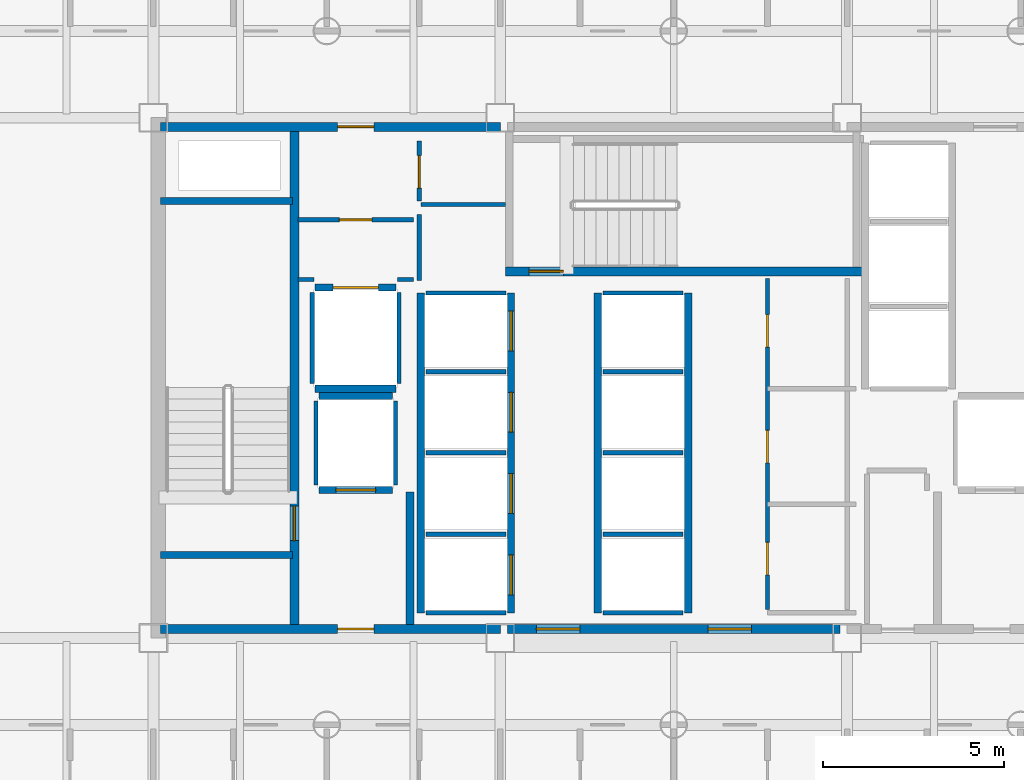
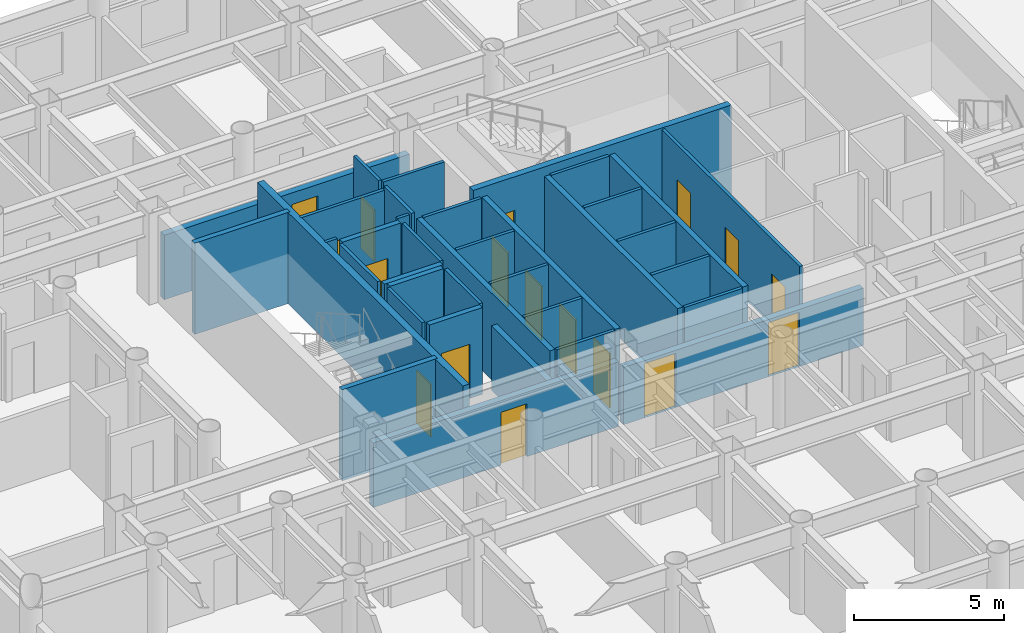
# One storey, part 16 of 21: 37 walls, 17 doors, 17 openings.
"""IFC4 building model written with IfcOpenShell, lengths in metres."""

from ifc_helpers import new_model, si_unit, direction, frame, frame_2d, origin, place, context, subcontext, project, spatial, rectangle, extrude, material, layer, layer_set, type_object, element, fill, save


model = new_model("IFC4")

# Units and contexts
model_context = context("Model", 3, precision=1e-05, world=origin(), true_north=direction((0.0, 1.0)))
body_context = subcontext(model_context, "Body", "Model", "MODEL_VIEW")
ifc_project = project(units=[si_unit("LENGTHUNIT", "METRE"), si_unit("AREAUNIT", "SQUARE_METRE"), si_unit("VOLUMEUNIT", "CUBIC_METRE"), si_unit("PLANEANGLEUNIT", "RADIAN"), si_unit("MASSUNIT", "GRAM", prefix="KILO")], contexts=[model_context])

# Site, building, storey
site_placement = place(None, origin())
site = spatial("IfcSite", under=ifc_project, at=site_placement, CompositionType="ELEMENT")
building_placement = place(site_placement, origin())
building = spatial("IfcBuilding", under=site, at=building_placement, Name="Kallvorn Hotel Tower", CompositionType="ELEMENT")
storey_placement = place(building_placement, frame((0.0, 0.0, 81.800048828125)))
storey = spatial("IfcBuildingStorey", under=building, at=storey_placement, Name="L19", CompositionType="ELEMENT", Elevation=81.800048828125)

# Walls
ifc_material_1 = material(Name="Concrete C40/50", Category="concrete")
ifc_layer_1 = layer(ifc_material_1, 0.219970703125)
ifc_layer_set_1 = layer_set([ifc_layer_1], Name="WL_FFL_220")
wall_type_1 = type_object("IfcWallType", Name="WL_FFL_220", PredefinedType="SOLIDWALL", material=ifc_layer_set_1)
wall_1_placement = place(storey_placement, frame((-7.300048828125, -6.820068359375, 0.0), z_axis=(0.0, 0.0, 1.0), x_axis=(0.0, 1.0, 0.0)))
element("IfcWall", 1, at=wall_1_placement, inside=storey, type_object=wall_type_1, Name="L19 Firefighting Lobby West Divider Wall", PredefinedType="SOLIDWALL", context=body_context, shape_type="SweptSolid", body=[
    extrude(rectangle(XDim=3.670166015625, YDim=0.219970703125, at=frame_2d((1.8349609375, 0.0))), origin(), (0.0, 0.0, 1.0), 2.619873046875),
])
ifc_material_2 = material(Name="Concrete C40/50", Category="concrete")
ifc_layer_2 = layer(ifc_material_2, 0.199951171875)
ifc_layer_set_2 = layer_set([ifc_layer_2], Name="WL_HOIST_200")
wall_type_2 = type_object("IfcWallType", Name="WL_HOIST_200", PredefinedType="SOLIDWALL", material=ifc_layer_set_2)
for number, where, z_axis, x_axis, name in (
    (2, (-14.199951171875, -4.89990234375, -0.179931640625), (0.0, 0.0, 1.0), (1.0, 0.0, 0.0), "L19 Stair ST1 South Wall"),
    (3, (-14.199951171875, 4.89990234375, -0.179931640625), (0.0, 0.0, 1.0), (1.0, 0.0, 0.0), "L19 Stair ST1 North Wall"),
):
    element("IfcWall", number, at=place(storey_placement, frame(where, z_axis=z_axis, x_axis=x_axis)), inside=storey, type_object=wall_type_2, Name=name, PredefinedType="SOLIDWALL", context=body_context, shape_type="SweptSolid", body=[
        extrude(rectangle(XDim=3.64990234375, YDim=0.199951171875, at=frame_2d((1.824951171875, 0.0))), origin(), (0.0, 0.0, 1.0), 3.699951171875),
    ])

# Wall, openings, doors
wall_2_placement = place(storey_placement, frame((-4.5, -6.5, 0.0), z_axis=(0.0, 0.0, 1.0), x_axis=(0.0, 1.0, 0.0)))
wall_2 = element("IfcWall", 4, at=wall_2_placement, inside=storey, type_object=wall_type_2, Name="L19 Lift Bank B1 Landing Wall", PredefinedType="SOLIDWALL", context=body_context, shape_type="SweptSolid", body=[
    extrude(rectangle(XDim=8.85009765625, YDim=0.199951171875, at=frame_2d((4.425048828125, 0.0))), origin(), (0.0, 0.0, 1.0), 3.52001953125),
])
opening_1_placement = place(wall_2_placement, frame((0.5, 0.0, 0.0)))
opening_1 = element("IfcOpeningElement", 5, at=opening_1_placement, cuts=wall_2, Name="Opening LD-PL-01", PredefinedType="OPENING", context=body_context, shape_type="SweptSolid", body=[
    extrude(rectangle(XDim=1.10009765625, YDim=2.199951171875, at=frame_2d((0.550048828125, 1.10009765625))), frame((0.0, 0.114990234375, 0.0), z_axis=(0.0, -1.0, 0.0), x_axis=(1.0, 0.0, 0.0)), (0.0, 0.0, 1.0), 0.22998046875),
])
opening_2_placement = place(wall_2_placement, frame((2.75, 0.0, 0.0)))
opening_2 = element("IfcOpeningElement", 6, at=opening_2_placement, cuts=wall_2, Name="Opening LD-PL-02", PredefinedType="OPENING", context=body_context, shape_type="SweptSolid", body=[
    extrude(rectangle(XDim=1.10009765625, YDim=2.199951171875, at=frame_2d((0.550048828125, 1.10009765625))), frame((0.0, 0.114990234375, 0.0), z_axis=(0.0, -1.0, 0.0), x_axis=(1.0, 0.0, 0.0)), (0.0, 0.0, 1.0), 0.22998046875),
])
opening_3_placement = place(wall_2_placement, frame((5.0, 0.0, 0.0)))
opening_3 = element("IfcOpeningElement", 7, at=opening_3_placement, cuts=wall_2, Name="Opening LD-PL-03", PredefinedType="OPENING", context=body_context, shape_type="SweptSolid", body=[
    extrude(rectangle(XDim=1.10009765625, YDim=2.199951171875, at=frame_2d((0.550048828125, 1.10009765625))), frame((0.0, 0.114990234375, 0.0), z_axis=(0.0, -1.0, 0.0), x_axis=(1.0, 0.0, 0.0)), (0.0, 0.0, 1.0), 0.22998046875),
])
opening_4_placement = place(wall_2_placement, frame((7.25, 0.0, 0.0)))
opening_4 = element("IfcOpeningElement", 8, at=opening_4_placement, cuts=wall_2, Name="Opening LD-PL-04", PredefinedType="OPENING", context=body_context, shape_type="SweptSolid", body=[
    extrude(rectangle(XDim=1.10009765625, YDim=2.199951171875, at=frame_2d((0.550048828125, 1.10009765625))), frame((0.0, 0.114990234375, 0.0), z_axis=(0.0, -1.0, 0.0), x_axis=(1.0, 0.0, 0.0)), (0.0, 0.0, 1.0), 0.22998046875),
])
ifc_material_3 = material(Name="Brushed stainless-steel automatic sliding lift landing door", Category="steel")
door_type_1 = type_object("IfcDoorType", Name="LD_PASS_1100x2200", OperationType="SLIDING_TO_LEFT", PredefinedType="DOOR", material=ifc_material_3)
door_1_placement = place(opening_1_placement, origin())
door_1 = element("IfcDoor", 9, at=door_1_placement, inside=storey, type_object=door_type_1, Name="L19 Lift Landing Sliding Door LD-PL-01", OperationType="SLIDING_TO_LEFT", OverallHeight=2.199951171875, OverallWidth=1.10009765625, PredefinedType="DOOR", context=body_context, shape_type="SweptSolid", body=[
    extrude(rectangle(XDim=1.10009765625, YDim=2.199951171875, at=frame_2d((0.550048828125, 1.10009765625))), frame((0.0, 0.02490234375, 0.0), z_axis=(0.0, -1.0, 0.0), x_axis=(1.0, 0.0, 0.0)), (0.0, 0.0, 1.0), 0.050048828125),
])
fill(opening_1, door_1)
door_2_placement = place(opening_2_placement, origin())
door_2 = element("IfcDoor", 10, at=door_2_placement, inside=storey, type_object=door_type_1, Name="L19 Lift Landing Sliding Door LD-PL-02", OperationType="SLIDING_TO_LEFT", OverallHeight=2.199951171875, OverallWidth=1.10009765625, PredefinedType="DOOR", context=body_context, shape_type="SweptSolid", body=[
    extrude(rectangle(XDim=1.10009765625, YDim=2.199951171875, at=frame_2d((0.550048828125, 1.10009765625))), frame((0.0, 0.02490234375, 0.0), z_axis=(0.0, -1.0, 0.0), x_axis=(1.0, 0.0, 0.0)), (0.0, 0.0, 1.0), 0.050048828125),
])
fill(opening_2, door_2)
door_3_placement = place(opening_3_placement, origin())
door_3 = element("IfcDoor", 11, at=door_3_placement, inside=storey, type_object=door_type_1, Name="L19 Lift Landing Sliding Door LD-PL-03", OperationType="SLIDING_TO_LEFT", OverallHeight=2.199951171875, OverallWidth=1.10009765625, PredefinedType="DOOR", context=body_context, shape_type="SweptSolid", body=[
    extrude(rectangle(XDim=1.10009765625, YDim=2.199951171875, at=frame_2d((0.550048828125, 1.10009765625))), frame((0.0, 0.02490234375, 0.0), z_axis=(0.0, -1.0, 0.0), x_axis=(1.0, 0.0, 0.0)), (0.0, 0.0, 1.0), 0.050048828125),
])
fill(opening_3, door_3)
door_4_placement = place(opening_4_placement, origin())
door_4 = element("IfcDoor", 12, at=door_4_placement, inside=storey, type_object=door_type_1, Name="L19 Lift Landing Sliding Door LD-PL-04", OperationType="SLIDING_TO_LEFT", OverallHeight=2.199951171875, OverallWidth=1.10009765625, PredefinedType="DOOR", context=body_context, shape_type="SweptSolid", body=[
    extrude(rectangle(XDim=1.10009765625, YDim=2.199951171875, at=frame_2d((0.550048828125, 1.10009765625))), frame((0.0, 0.02490234375, 0.0), z_axis=(0.0, -1.0, 0.0), x_axis=(1.0, 0.0, 0.0)), (0.0, 0.0, 1.0), 0.050048828125),
])
fill(opening_4, door_4)

# Walls
for number, where, z_axis, x_axis, name in (
    (13, (-7.0, -6.5, 0.0), (0.0, 0.0, 1.0), (0.0, 1.0, 0.0), "L19 Lift Bank B1 Rear Shaft Wall"),
    (14, (-2.10009765625, -6.5, 0.0), (0.0, 0.0, 1.0), (0.0, 1.0, 0.0), "L19 Lift Bank B2 Landing Wall"),
    (15, (0.39990234375, -6.5, 0.0), (0.0, 0.0, 1.0), (0.0, 1.0, 0.0), "L19 Lift Bank B2 Rear Shaft Wall"),
):
    element("IfcWall", number, at=place(storey_placement, frame(where, z_axis=z_axis, x_axis=x_axis)), inside=storey, type_object=wall_type_2, Name=name, PredefinedType="SOLIDWALL", context=body_context, shape_type="SweptSolid", body=[
        extrude(rectangle(XDim=8.85009765625, YDim=0.199951171875, at=frame_2d((4.425048828125, 0.0))), origin(), (0.0, 0.0, 1.0), 3.52001953125),
    ])

# Wall, opening, door
wall_3_placement = place(storey_placement, frame((-9.820068359375, -3.10009765625, 0.0), z_axis=(0.0, 0.0, 1.0), x_axis=(1.0, 0.0, 0.0)))
wall_3 = element("IfcWall", 16, at=wall_3_placement, inside=storey, type_object=wall_type_2, Name="L19 FL-1 Landing Wall", PredefinedType="SOLIDWALL", context=body_context, shape_type="SweptSolid", body=[
    extrude(rectangle(XDim=2.0400390625, YDim=0.199951171875, at=frame_2d((1.02001953125, 0.0))), origin(), (0.0, 0.0, 1.0), 3.52001953125),
])
opening_5_placement = place(wall_3_placement, frame((0.469970703125, 0.0, 0.0)))
opening_5 = element("IfcOpeningElement", 17, at=opening_5_placement, cuts=wall_3, Name="Opening LD-FL-1", PredefinedType="OPENING", context=body_context, shape_type="SweptSolid", body=[
    extrude(rectangle(XDim=1.10009765625, YDim=2.199951171875, at=frame_2d((0.550048828125, 1.10009765625))), frame((0.0, 0.114990234375, 0.0), z_axis=(0.0, -1.0, 0.0), x_axis=(1.0, 0.0, 0.0)), (0.0, 0.0, 1.0), 0.22998046875),
])
door_5_placement = place(opening_5_placement, origin())
door_5 = element("IfcDoor", 18, at=door_5_placement, inside=storey, type_object=door_type_1, Name="L19 Lift Landing Sliding Door LD-FL-1", OperationType="SLIDING_TO_LEFT", OverallHeight=2.199951171875, OverallWidth=1.10009765625, PredefinedType="DOOR", context=body_context, shape_type="SweptSolid", body=[
    extrude(rectangle(XDim=1.10009765625, YDim=2.199951171875, at=frame_2d((0.550048828125, 1.10009765625))), frame((0.0, 0.02490234375, 0.0), z_axis=(0.0, -1.0, 0.0), x_axis=(1.0, 0.0, 0.0)), (0.0, 0.0, 1.0), 0.050048828125),
])
fill(opening_5, door_5)

# Wall
wall_4_placement = place(storey_placement, frame((-9.820068359375, -0.5, 0.0), z_axis=(0.0, 0.0, 1.0), x_axis=(1.0, 0.0, 0.0)))
element("IfcWall", 19, at=wall_4_placement, inside=storey, type_object=wall_type_2, Name="L19 FL-1 Rear Shaft Wall", PredefinedType="SOLIDWALL", context=body_context, shape_type="SweptSolid", body=[
    extrude(rectangle(XDim=2.0400390625, YDim=0.199951171875, at=frame_2d((1.02001953125, 0.0))), origin(), (0.0, 0.0, 1.0), 3.52001953125),
])

# Wall, opening, door
wall_5_placement = place(storey_placement, frame((-9.919921875, 2.5, 0.0), z_axis=(0.0, 0.0, 1.0), x_axis=(1.0, 0.0, 0.0)))
wall_5 = element("IfcWall", 20, at=wall_5_placement, inside=storey, type_object=wall_type_2, Name="L19 SV-01 Landing Wall", PredefinedType="SOLIDWALL", context=body_context, shape_type="SweptSolid", body=[
    extrude(rectangle(XDim=2.239990234375, YDim=0.199951171875, at=frame_2d((1.1201171875, 0.0))), origin(), (0.0, 0.0, 1.0), 3.52001953125),
])
opening_6_placement = place(wall_5_placement, frame((0.4951171875, 0.0, 0.0)))
opening_6 = element("IfcOpeningElement", 21, at=opening_6_placement, cuts=wall_5, Name="Opening LD-SV-01", PredefinedType="OPENING", context=body_context, shape_type="SweptSolid", body=[
    extrude(rectangle(XDim=1.25, YDim=2.25, at=frame_2d((0.625, 1.125))), frame((0.0, 0.114990234375, 0.0), z_axis=(0.0, -1.0, 0.0), x_axis=(1.0, 0.0, 0.0)), (0.0, 0.0, 1.0), 0.22998046875),
])
ifc_material_4 = material(Name="Brushed stainless-steel automatic sliding lift landing door", Category="steel")
door_type_2 = type_object("IfcDoorType", Name="LD_SERV_1250x2250", OperationType="SLIDING_TO_LEFT", PredefinedType="DOOR", material=ifc_material_4)
door_6_placement = place(opening_6_placement, origin())
door_6 = element("IfcDoor", 22, at=door_6_placement, inside=storey, type_object=door_type_2, Name="L19 Lift Landing Sliding Door LD-SV-01", OperationType="SLIDING_TO_LEFT", OverallHeight=2.25, OverallWidth=1.25, PredefinedType="DOOR", context=body_context, shape_type="SweptSolid", body=[
    extrude(rectangle(XDim=1.25, YDim=2.25, at=frame_2d((0.625, 1.125))), frame((0.0, 0.02490234375, 0.0), z_axis=(0.0, -1.0, 0.0), x_axis=(1.0, 0.0, 0.0)), (0.0, 0.0, 1.0), 0.050048828125),
])
fill(opening_6, door_6)

# Walls
wall_6_placement = place(storey_placement, frame((-9.919921875, -0.300048828125, 0.0), z_axis=(0.0, 0.0, 1.0), x_axis=(1.0, 0.0, 0.0)))
element("IfcWall", 23, at=wall_6_placement, inside=storey, type_object=wall_type_2, Name="L19 SV-01 Rear Shaft Wall", PredefinedType="SOLIDWALL", context=body_context, shape_type="SweptSolid", body=[
    extrude(rectangle(XDim=2.239990234375, YDim=0.199951171875, at=frame_2d((1.1201171875, 0.0))), origin(), (0.0, 0.0, 1.0), 3.52001953125),
])
ifc_material_5 = material(Name="Fire-rated double-layer acoustic gypsum drywall EI 60")
ifc_layer_3 = layer(ifc_material_5, 0.1201171875)
ifc_layer_set_3 = layer_set([ifc_layer_3], Name="WL_INT_120")
wall_type_3 = type_object("IfcWallType", Name="WL_INT_120", PredefinedType="PARTITIONING", material=ifc_layer_set_3)
for number, where, z_axis, x_axis, name in (
    (24, (-6.860107421875, -6.5, 0.0), (0.0, 0.0, 1.0), (1.0, 0.0, 0.0), "L19 Lift Bank B1 South Closure Wall"),
    (25, (-6.860107421875, -4.324951171875, 0.0), (0.0, 0.0, 1.0), (1.0, 0.0, 0.0), "L19 PL-01 Hoistway Divider"),
    (26, (-6.860107421875, -2.074951171875, 0.0), (0.0, 0.0, 1.0), (1.0, 0.0, 0.0), "L19 PL-02 Hoistway Divider"),
    (27, (-6.860107421875, 0.175048828125, 0.0), (0.0, 0.0, 1.0), (1.0, 0.0, 0.0), "L19 PL-03 Hoistway Divider"),
    (28, (-6.860107421875, 2.35009765625, 0.0), (0.0, 0.0, 1.0), (1.0, 0.0, 0.0), "L19 PL-04 Hoistway Divider"),
):
    element("IfcWall", number, at=place(storey_placement, frame(where, z_axis=z_axis, x_axis=x_axis)), inside=storey, type_object=wall_type_3, Name=name, PredefinedType="PARTITIONING", context=body_context, shape_type="SweptSolid", body=[
        extrude(rectangle(XDim=2.22021484375, YDim=0.1201171875, at=frame_2d((1.110107421875, 0.0))), origin(), (0.0, 0.0, 1.0), 3.52001953125),
    ])
for number, where, z_axis, x_axis, name in (
    (29, (-1.9599609375, -6.5, 0.0), (0.0, 0.0, 1.0), (1.0, 0.0, 0.0), "L19 Lift Bank B2 South Closure Wall"),
    (30, (-1.9599609375, -4.324951171875, 0.0), (0.0, 0.0, 1.0), (1.0, 0.0, 0.0), "L19 PL-05 Hoistway Divider"),
    (31, (-1.9599609375, -2.074951171875, 0.0), (0.0, 0.0, 1.0), (1.0, 0.0, 0.0), "L19 PL-06 Hoistway Divider"),
    (32, (-1.9599609375, 0.175048828125, 0.0), (0.0, 0.0, 1.0), (1.0, 0.0, 0.0), "L19 PL-07 Hoistway Divider"),
    (33, (-1.9599609375, 2.35009765625, 0.0), (0.0, 0.0, 1.0), (1.0, 0.0, 0.0), "L19 PL-08 Hoistway Divider"),
):
    element("IfcWall", number, at=place(storey_placement, frame(where, z_axis=z_axis, x_axis=x_axis)), inside=storey, type_object=wall_type_3, Name=name, PredefinedType="PARTITIONING", context=body_context, shape_type="SweptSolid", body=[
        extrude(rectangle(XDim=2.219970703125, YDim=0.1201171875, at=frame_2d((1.10986328125, 0.0))), origin(), (0.0, 0.0, 1.0), 3.52001953125),
    ])
for number, where, z_axis, x_axis, name in (
    (34, (-9.89990234375, -2.9599609375, 0.0), (0.0, 0.0, 1.0), (0.0, 1.0, 0.0), "L19 FL-1 West Shaft Wall"),
    (35, (-7.699951171875, -2.9599609375, 0.0), (0.0, 0.0, 1.0), (0.0, 1.0, 0.0), "L19 FL-1 East Shaft Wall"),
):
    element("IfcWall", number, at=place(storey_placement, frame(where, z_axis=z_axis, x_axis=x_axis)), inside=storey, type_object=wall_type_3, Name=name, PredefinedType="PARTITIONING", context=body_context, shape_type="SweptSolid", body=[
        extrude(rectangle(XDim=2.320068359375, YDim=0.1201171875, at=frame_2d((1.16015625, 0.0))), origin(), (0.0, 0.0, 1.0), 3.52001953125),
    ])
for number, where, z_axis, x_axis, name in (
    (36, (-10.0, -0.159912109375, 0.0), (0.0, 0.0, 1.0), (0.0, 1.0, 0.0), "L19 SV-01 West Shaft Wall"),
    (37, (-7.60009765625, -0.159912109375, 0.0), (0.0, 0.0, 1.0), (0.0, 1.0, 0.0), "L19 SV-01 East Shaft Wall"),
):
    element("IfcWall", number, at=place(storey_placement, frame(where, z_axis=z_axis, x_axis=x_axis)), inside=storey, type_object=wall_type_3, Name=name, PredefinedType="PARTITIONING", context=body_context, shape_type="SweptSolid", body=[
        extrude(rectangle(XDim=2.52001953125, YDim=0.1201171875, at=frame_2d((1.260009765625, 0.0))), origin(), (0.0, 0.0, 1.0), 3.52001953125),
    ])
for number, where, z_axis, x_axis, name in (
    (38, (-10.39990234375, 2.72509765625, 0.0), (0.0, 0.0, 1.0), (1.0, 0.0, 0.0), "L19 Core Telecom and Metering Store Partition"),
    (39, (-7.639892578125, 2.72509765625, 0.0), (0.0, 0.0, 1.0), (1.0, 0.0, 0.0), "L19 Core Telecom and Metering Store Partition"),
):
    element("IfcWall", number, at=place(storey_placement, frame(where, z_axis=z_axis, x_axis=x_axis)), inside=storey, type_object=wall_type_3, Name=name, PredefinedType="PARTITIONING", context=body_context, shape_type="SweptSolid", body=[
        extrude(rectangle(XDim=0.43994140625, YDim=0.1201171875, at=frame_2d((0.219970703125, 0.0))), origin(), (0.0, 0.0, 1.0), 3.52001953125),
    ])

# Wall, opening, door
wall_7_placement = place(storey_placement, frame((-10.39990234375, 4.373291015625, 0.0), z_axis=(0.0, 0.0, 1.0), x_axis=(1.0, 0.0, 0.0)))
wall_7 = element("IfcWall", 40, at=wall_7_placement, inside=storey, type_object=wall_type_3, Name="L19 Core Telecom and Metering Store Partition", PredefinedType="PARTITIONING", context=body_context, shape_type="SweptSolid", body=[
    extrude(rectangle(XDim=3.199951171875, YDim=0.1201171875, at=frame_2d((1.60009765625, 0.0))), origin(), (0.0, 0.0, 1.0), 3.52001953125),
])
opening_7_placement = place(wall_7_placement, frame((1.14990234375, 0.0, 0.0)))
opening_7 = element("IfcOpeningElement", 41, at=opening_7_placement, cuts=wall_7, Name="Opening SVD1", PredefinedType="OPENING", context=body_context, shape_type="SweptSolid", body=[
    extrude(rectangle(XDim=0.89990234375, YDim=2.10009765625, at=frame_2d((0.449951171875, 1.050048828125))), frame((0.0, 0.074951171875, 0.0), z_axis=(0.0, -1.0, 0.0), x_axis=(1.0, 0.0, 0.0)), (0.0, 0.0, 1.0), 0.150146484375),
])
ifc_material_6 = material(Name="Galvanised painted steel fire-rated door assembly", Category="steel")
door_type_3 = type_object("IfcDoorType", Name="DR_SERV_900x2100", OperationType="NOTDEFINED", PredefinedType="DOOR", material=ifc_material_6)
door_7_placement = place(opening_7_placement, origin())
door_7 = element("IfcDoor", 42, at=door_7_placement, inside=storey, type_object=door_type_3, Name="L19 Core Telecom and Metering Store Door", OperationType="SINGLE_SWING_RIGHT", OverallHeight=2.10009765625, OverallWidth=0.89990234375, PredefinedType="DOOR", context=body_context, shape_type="SweptSolid", body=[
    extrude(rectangle(XDim=0.89990234375, YDim=2.10009765625, at=frame_2d((0.449951171875, 1.050048828125))), frame((0.0, 0.02490234375, 0.0), z_axis=(0.0, -1.0, 0.0), x_axis=(1.0, 0.0, 0.0)), (0.0, 0.0, 1.0), 0.050048828125),
])
fill(opening_7, door_7)

# Walls
wall_8_placement = place(storey_placement, frame((-7.0, 4.800048828125, 0.0), z_axis=(0.0, 0.0, 1.0), x_axis=(1.0, 0.0, 0.0)))
element("IfcWall", 43, at=wall_8_placement, inside=storey, type_object=wall_type_3, Name="L19 Core Room Service Staging Pantry Partition", PredefinedType="PARTITIONING", context=body_context, shape_type="SweptSolid", body=[
    extrude(rectangle(XDim=2.35009765625, YDim=0.1201171875, at=frame_2d((1.175048828125, 0.0))), origin(), (0.0, 0.0, 1.0), 3.52001953125),
])
wall_9_placement = place(storey_placement, frame((-7.0400390625, 2.699951171875, 0.0), z_axis=(0.0, 0.0, 1.0), x_axis=(0.0, 1.0, 0.0)))
element("IfcWall", 44, at=wall_9_placement, inside=storey, type_object=wall_type_3, Name="L19 Core Telecom and Metering Store Partition", PredefinedType="PARTITIONING", context=body_context, shape_type="SweptSolid", body=[
    extrude(rectangle(XDim=1.820068359375, YDim=0.1201171875, at=frame_2d((0.91015625, 0.0))), origin(), (0.0, 0.0, 1.0), 3.52001953125),
])

# Wall, opening, door
wall_10_placement = place(storey_placement, frame((-7.0400390625, 4.89990234375, 0.0), z_axis=(0.0, 0.0, 1.0), x_axis=(0.0, 1.0, 0.0)))
wall_10 = element("IfcWall", 45, at=wall_10_placement, inside=storey, type_object=wall_type_3, Name="L19 Core Room Service Staging Pantry Partition", PredefinedType="PARTITIONING", context=body_context, shape_type="SweptSolid", body=[
    extrude(rectangle(XDim=1.650146484375, YDim=0.1201171875, at=frame_2d((0.8251953125, 0.0))), origin(), (0.0, 0.0, 1.0), 3.52001953125),
])
opening_8_placement = place(wall_10_placement, frame((0.35009765625, 0.0, 0.0)))
opening_8 = element("IfcOpeningElement", 46, at=opening_8_placement, cuts=wall_10, Name="Opening SVD1", PredefinedType="OPENING", context=body_context, shape_type="SweptSolid", body=[
    extrude(rectangle(XDim=0.89990234375, YDim=2.10009765625, at=frame_2d((0.449951171875, 1.050048828125))), frame((0.0, 0.074951171875, 0.0), z_axis=(0.0, -1.0, 0.0), x_axis=(1.0, 0.0, 0.0)), (0.0, 0.0, 1.0), 0.150146484375),
])
door_8_placement = place(opening_8_placement, origin())
door_8 = element("IfcDoor", 47, at=door_8_placement, inside=storey, type_object=door_type_3, Name="L19 Core Room Service Staging Pantry Door", OperationType="SINGLE_SWING_LEFT", OverallHeight=2.10009765625, OverallWidth=0.89990234375, PredefinedType="DOOR", context=body_context, shape_type="SweptSolid", body=[
    extrude(rectangle(XDim=0.89990234375, YDim=2.10009765625, at=frame_2d((0.449951171875, 1.050048828125))), frame((0.0, 0.02490234375, 0.0), z_axis=(0.0, -1.0, 0.0), x_axis=(1.0, 0.0, 0.0)), (0.0, 0.0, 1.0), 0.050048828125),
])
fill(opening_8, door_8)

# Wall, openings, doors
wall_11_placement = place(storey_placement, frame((2.59423828125, -6.4150390625, 0.0), z_axis=(0.0, 0.0, 1.0), x_axis=(0.0, 1.0, 0.0)))
wall_11 = element("IfcWall", 48, at=wall_11_placement, inside=storey, type_object=wall_type_3, Name="L19 East Core Minibar Store Partition", PredefinedType="PARTITIONING", context=body_context, shape_type="SweptSolid", body=[
    extrude(rectangle(XDim=9.1650390625, YDim=0.1201171875, at=frame_2d((4.58251953125, 0.0))), origin(), (0.0, 0.0, 1.0), 3.52001953125),
])
opening_9_placement = place(wall_11_placement, frame((0.965087890625, 0.0, 0.0)))
opening_9 = element("IfcOpeningElement", 49, at=opening_9_placement, cuts=wall_11, Name="Opening SVD1", PredefinedType="OPENING", context=body_context, shape_type="SweptSolid", body=[
    extrude(rectangle(XDim=0.89990234375, YDim=2.10009765625, at=frame_2d((0.449951171875, 1.050048828125))), frame((0.0, 0.074951171875, 0.0), z_axis=(0.0, -1.0, 0.0), x_axis=(1.0, 0.0, 0.0)), (0.0, 0.0, 1.0), 0.150146484375),
])
opening_10_placement = place(wall_11_placement, frame((4.06494140625, 0.0, 0.0)))
opening_10 = element("IfcOpeningElement", 50, at=opening_10_placement, cuts=wall_11, Name="Opening SVD1", PredefinedType="OPENING", context=body_context, shape_type="SweptSolid", body=[
    extrude(rectangle(XDim=0.89990234375, YDim=2.10009765625, at=frame_2d((0.449951171875, 1.050048828125))), frame((0.0, 0.074951171875, 0.0), z_axis=(0.0, -1.0, 0.0), x_axis=(1.0, 0.0, 0.0)), (0.0, 0.0, 1.0), 0.150146484375),
])
opening_11_placement = place(wall_11_placement, frame((7.264892578125, 0.0, 0.0)))
opening_11 = element("IfcOpeningElement", 51, at=opening_11_placement, cuts=wall_11, Name="Opening SVD1", PredefinedType="OPENING", context=body_context, shape_type="SweptSolid", body=[
    extrude(rectangle(XDim=0.89990234375, YDim=2.10009765625, at=frame_2d((0.449951171875, 1.050048828125))), frame((0.0, 0.074951171875, 0.0), z_axis=(0.0, -1.0, 0.0), x_axis=(1.0, 0.0, 0.0)), (0.0, 0.0, 1.0), 0.150146484375),
])
door_9_placement = place(opening_9_placement, origin())
door_9 = element("IfcDoor", 52, at=door_9_placement, inside=storey, type_object=door_type_3, Name="L19 East Core Minibar Store Door", OperationType="SINGLE_SWING_LEFT", OverallHeight=2.10009765625, OverallWidth=0.89990234375, PredefinedType="DOOR", context=body_context, shape_type="SweptSolid", body=[
    extrude(rectangle(XDim=0.89990234375, YDim=2.10009765625, at=frame_2d((0.449951171875, 1.050048828125))), frame((0.0, 0.02490234375, 0.0), z_axis=(0.0, -1.0, 0.0), x_axis=(1.0, 0.0, 0.0)), (0.0, 0.0, 1.0), 0.050048828125),
])
fill(opening_9, door_9)
door_10_placement = place(opening_10_placement, origin())
door_10 = element("IfcDoor", 53, at=door_10_placement, inside=storey, type_object=door_type_3, Name="L19 East Core Housekeeping Supply Closet Door", OperationType="SINGLE_SWING_LEFT", OverallHeight=2.10009765625, OverallWidth=0.89990234375, PredefinedType="DOOR", context=body_context, shape_type="SweptSolid", body=[
    extrude(rectangle(XDim=0.89990234375, YDim=2.10009765625, at=frame_2d((0.449951171875, 1.050048828125))), frame((0.0, 0.02490234375, 0.0), z_axis=(0.0, -1.0, 0.0), x_axis=(1.0, 0.0, 0.0)), (0.0, 0.0, 1.0), 0.050048828125),
])
fill(opening_10, door_10)
door_11_placement = place(opening_11_placement, origin())
door_11 = element("IfcDoor", 54, at=door_11_placement, inside=storey, type_object=door_type_3, Name="L19 East Core Cleaners Room Door", OperationType="SINGLE_SWING_LEFT", OverallHeight=2.10009765625, OverallWidth=0.89990234375, PredefinedType="DOOR", context=body_context, shape_type="SweptSolid", body=[
    extrude(rectangle(XDim=0.89990234375, YDim=2.10009765625, at=frame_2d((0.449951171875, 1.050048828125))), frame((0.0, 0.02490234375, 0.0), z_axis=(0.0, -1.0, 0.0), x_axis=(1.0, 0.0, 0.0)), (0.0, 0.0, 1.0), 0.050048828125),
])
fill(opening_11, door_11)

# Wall, opening, door
ifc_material_7 = material(Name="Concrete C40/50", Category="concrete")
ifc_layer_4 = layer(ifc_material_7, 0.25)
ifc_layer_set_4 = layer_set([ifc_layer_4], Name="WL_SHAFT_250")
wall_type_4 = type_object("IfcWallType", Name="WL_SHAFT_250", PredefinedType="SOLIDWALL", material=ifc_layer_set_4)
wall_12_placement = place(storey_placement, frame((-14.199951171875, -6.949951171875, 0.0), z_axis=(0.0, 0.0, 1.0), x_axis=(1.0, 0.0, 0.0)))
wall_12 = element("IfcWall", 55, at=wall_12_placement, inside=storey, type_object=wall_type_4, Name="L19 Core South-West Wall", PredefinedType="SOLIDWALL", context=body_context, shape_type="SweptSolid", body=[
    extrude(rectangle(XDim=9.39990234375, YDim=0.25, at=frame_2d((4.699951171875, 0.0))), origin(), (0.0, 0.0, 1.0), 2.619873046875),
])
opening_12_placement = place(wall_12_placement, frame((4.89990234375, 0.0, 0.0)))
opening_12 = element("IfcOpeningElement", 56, at=opening_12_placement, cuts=wall_12, Name="Opening FD1", PredefinedType="OPENING", context=body_context, shape_type="SweptSolid", body=[
    extrude(rectangle(XDim=1.0, YDim=2.14990234375, at=frame_2d((0.5, 1.074951171875))), frame((0.0, 0.139892578125, 0.0), z_axis=(0.0, -1.0, 0.0), x_axis=(1.0, 0.0, 0.0)), (0.0, 0.0, 1.0), 0.280029296875),
])
ifc_material_8 = material(Name="Galvanised painted steel fire-rated door assembly", Category="steel")
door_type_4 = type_object("IfcDoorType", Name="DR_FFL_1000x2150", OperationType="NOTDEFINED", PredefinedType="DOOR", material=ifc_material_8)
door_12_placement = place(opening_12_placement, origin())
door_12 = element("IfcDoor", 57, at=door_12_placement, inside=storey, type_object=door_type_4, Name="L19 Firefighting Lobby West Door", OperationType="SINGLE_SWING_LEFT", OverallHeight=2.14990234375, OverallWidth=1.0, PredefinedType="DOOR", context=body_context, shape_type="SweptSolid", body=[
    extrude(rectangle(XDim=1.0, YDim=2.14990234375, at=frame_2d((0.5, 1.074951171875))), frame((0.0, 0.02490234375, 0.0), z_axis=(0.0, -1.0, 0.0), x_axis=(1.0, 0.0, 0.0)), (0.0, 0.0, 1.0), 0.050048828125),
])
fill(opening_12, door_12)

# Wall, openings, doors
wall_13_placement = place(storey_placement, frame((-4.60009765625, -6.949951171875, 0.0), z_axis=(0.0, 0.0, 1.0), x_axis=(1.0, 0.0, 0.0)))
wall_13 = element("IfcWall", 58, at=wall_13_placement, inside=storey, type_object=wall_type_4, Name="L19 Core South-Central Wall", PredefinedType="SOLIDWALL", context=body_context, shape_type="SweptSolid", body=[
    extrude(rectangle(XDim=9.2001953125, YDim=0.25, at=frame_2d((4.60009765625, 0.0))), origin(), (0.0, 0.0, 1.0), 2.320068359375),
])
opening_13_placement = place(wall_13_placement, frame((0.800048828125, 0.0, 0.0)))
opening_13 = element("IfcOpeningElement", 59, at=opening_13_placement, cuts=wall_13, Name="Opening FD2", PredefinedType="OPENING", context=body_context, shape_type="SweptSolid", body=[
    extrude(rectangle(XDim=1.199951171875, YDim=2.199951171875, at=frame_2d((0.60009765625, 1.10009765625))), frame((0.0, 0.139892578125, 0.0), z_axis=(0.0, -1.0, 0.0), x_axis=(1.0, 0.0, 0.0)), (0.0, 0.0, 1.0), 0.280029296875),
])
opening_14_placement = place(wall_13_placement, frame((5.550048828125, 0.0, 0.0)))
opening_14 = element("IfcOpeningElement", 60, at=opening_14_placement, cuts=wall_13, Name="Opening FD2", PredefinedType="OPENING", context=body_context, shape_type="SweptSolid", body=[
    extrude(rectangle(XDim=1.199951171875, YDim=2.199951171875, at=frame_2d((0.60009765625, 1.10009765625))), frame((0.0, 0.139892578125, 0.0), z_axis=(0.0, -1.0, 0.0), x_axis=(1.0, 0.0, 0.0)), (0.0, 0.0, 1.0), 0.280029296875),
])
ifc_material_9 = material(Name="Galvanised painted steel fire-rated door assembly", Category="steel")
door_type_5 = type_object("IfcDoorType", Name="DR_LOBBY_1200x2200", OperationType="DOUBLE_DOOR_SINGLE_SWING", PredefinedType="DOOR", material=ifc_material_9)
door_13_placement = place(opening_13_placement, origin())
door_13 = element("IfcDoor", 61, at=door_13_placement, inside=storey, type_object=door_type_5, Name="L19 West Passenger Lift Lobby Door", OperationType="DOUBLE_DOOR_SINGLE_SWING", OverallHeight=2.199951171875, OverallWidth=1.199951171875, PredefinedType="DOOR", context=body_context, shape_type="SweptSolid", body=[
    extrude(rectangle(XDim=1.199951171875, YDim=2.199951171875, at=frame_2d((0.60009765625, 1.10009765625))), frame((0.0, 0.02490234375, 0.0), z_axis=(0.0, -1.0, 0.0), x_axis=(1.0, 0.0, 0.0)), (0.0, 0.0, 1.0), 0.050048828125),
])
fill(opening_13, door_13)
door_14_placement = place(opening_14_placement, origin())
door_14 = element("IfcDoor", 62, at=door_14_placement, inside=storey, type_object=door_type_5, Name="L19 East Passenger Lift Lobby Door", OperationType="DOUBLE_DOOR_SINGLE_SWING", OverallHeight=2.199951171875, OverallWidth=1.199951171875, PredefinedType="DOOR", context=body_context, shape_type="SweptSolid", body=[
    extrude(rectangle(XDim=1.199951171875, YDim=2.199951171875, at=frame_2d((0.60009765625, 1.10009765625))), frame((0.0, 0.02490234375, 0.0), z_axis=(0.0, -1.0, 0.0), x_axis=(1.0, 0.0, 0.0)), (0.0, 0.0, 1.0), 0.050048828125),
])
fill(opening_14, door_14)

# Wall, opening, door
wall_14_placement = place(storey_placement, frame((-14.199951171875, 6.949951171875, 0.0), z_axis=(0.0, 0.0, 1.0), x_axis=(1.0, 0.0, 0.0)))
wall_14 = element("IfcWall", 63, at=wall_14_placement, inside=storey, type_object=wall_type_4, Name="L19 Core North-West Wall", PredefinedType="SOLIDWALL", context=body_context, shape_type="SweptSolid", body=[
    extrude(rectangle(XDim=9.39990234375, YDim=0.25, at=frame_2d((4.699951171875, 0.0))), origin(), (0.0, 0.0, 1.0), 2.619873046875),
])
opening_15_placement = place(wall_14_placement, frame((4.89990234375, 0.0, 0.0)))
opening_15 = element("IfcOpeningElement", 64, at=opening_15_placement, cuts=wall_14, Name="Opening FD1", PredefinedType="OPENING", context=body_context, shape_type="SweptSolid", body=[
    extrude(rectangle(XDim=1.0, YDim=2.14990234375, at=frame_2d((0.5, 1.074951171875))), frame((0.0, 0.139892578125, 0.0), z_axis=(0.0, -1.0, 0.0), x_axis=(1.0, 0.0, 0.0)), (0.0, 0.0, 1.0), 0.280029296875),
])
door_15_placement = place(opening_15_placement, origin())
door_15 = element("IfcDoor", 65, at=door_15_placement, inside=storey, type_object=door_type_4, Name="L19 Service Lift Lobby Door", OperationType="SINGLE_SWING_RIGHT", OverallHeight=2.14990234375, OverallWidth=1.0, PredefinedType="DOOR", context=body_context, shape_type="SweptSolid", body=[
    extrude(rectangle(XDim=1.0, YDim=2.14990234375, at=frame_2d((0.5, 1.074951171875))), frame((0.0, 0.02490234375, 0.0), z_axis=(0.0, -1.0, 0.0), x_axis=(1.0, 0.0, 0.0)), (0.0, 0.0, 1.0), 0.050048828125),
])
fill(opening_15, door_15)

wall_15_placement = place(storey_placement, frame((-10.5, -6.820068359375, -0.179931640625), z_axis=(0.0, 0.0, 1.0), x_axis=(0.0, 1.0, 0.0)))
wall_15 = element("IfcWall", 66, at=wall_15_placement, inside=storey, type_object=wall_type_4, Name="L19 Stair ST1 Shaft Wall", PredefinedType="SOLIDWALL", context=body_context, shape_type="SweptSolid", body=[
    extrude(rectangle(XDim=13.64013671875, YDim=0.25, at=frame_2d((6.820068359375, 0.0))), origin(), (0.0, 0.0, 1.0), 3.699951171875),
])
opening_16_placement = place(wall_15_placement, frame((2.320068359375, 0.0, 0.179931640625)))
opening_16 = element("IfcOpeningElement", 67, at=opening_16_placement, cuts=wall_15, Name="Opening SD1", PredefinedType="OPENING", context=body_context, shape_type="SweptSolid", body=[
    extrude(rectangle(XDim=0.949951171875, YDim=2.14990234375, at=frame_2d((0.47509765625, 1.074951171875))), frame((0.0, 0.139892578125, 0.0), z_axis=(0.0, -1.0, 0.0), x_axis=(1.0, 0.0, 0.0)), (0.0, 0.0, 1.0), 0.280029296875),
])
ifc_material_10 = material(Name="Galvanised painted steel fire-rated door assembly", Category="steel")
door_type_6 = type_object("IfcDoorType", Name="DR_STAIR_950x2150", OperationType="NOTDEFINED", PredefinedType="DOOR", material=ifc_material_10)
door_16_placement = place(opening_16_placement, origin())
door_16 = element("IfcDoor", 68, at=door_16_placement, inside=storey, type_object=door_type_6, Name="L19 Exit Stair ST1 Fire Door", OperationType="SINGLE_SWING_RIGHT", OverallHeight=2.14990234375, OverallWidth=0.949951171875, PredefinedType="DOOR", context=body_context, shape_type="SweptSolid", body=[
    extrude(rectangle(XDim=0.949951171875, YDim=2.14990234375, at=frame_2d((0.47509765625, 1.074951171875))), frame((0.0, 0.02490234375, 0.0), z_axis=(0.0, -1.0, 0.0), x_axis=(1.0, 0.0, 0.0)), (0.0, 0.0, 1.0), 0.050048828125),
])
fill(opening_16, door_16)

wall_16_placement = place(storey_placement, frame((-4.64990234375, 2.949951171875, -0.179931640625), z_axis=(0.0, 0.0, 1.0), x_axis=(1.0, 0.0, 0.0)))
wall_16 = element("IfcWall", 69, at=wall_16_placement, inside=storey, type_object=wall_type_4, Name="L19 Stair ST3 Shaft South Wall", PredefinedType="SOLIDWALL", context=body_context, shape_type="SweptSolid", body=[
    extrude(rectangle(XDim=9.89990234375, YDim=0.25, at=frame_2d((4.949951171875, 0.0))), origin(), (0.0, 0.0, 1.0), 3.699951171875),
])
opening_17_placement = place(wall_16_placement, frame((0.64990234375, 0.0, 0.179931640625)))
opening_17 = element("IfcOpeningElement", 70, at=opening_17_placement, cuts=wall_16, Name="Opening SD1", PredefinedType="OPENING", context=body_context, shape_type="SweptSolid", body=[
    extrude(rectangle(XDim=0.949951171875, YDim=2.14990234375, at=frame_2d((0.47509765625, 1.074951171875))), frame((0.0, 0.139892578125, 0.0), z_axis=(0.0, -1.0, 0.0), x_axis=(1.0, 0.0, 0.0)), (0.0, 0.0, 1.0), 0.280029296875),
])
door_17_placement = place(opening_17_placement, origin())
door_17 = element("IfcDoor", 71, at=door_17_placement, inside=storey, type_object=door_type_6, Name="L19 Exit Stair ST3 Fire Door", OperationType="SINGLE_SWING_LEFT", OverallHeight=2.14990234375, OverallWidth=0.949951171875, PredefinedType="DOOR", context=body_context, shape_type="SweptSolid", body=[
    extrude(rectangle(XDim=0.949951171875, YDim=2.14990234375, at=frame_2d((0.47509765625, 1.074951171875))), frame((0.0, 0.02490234375, 0.0), z_axis=(0.0, -1.0, 0.0), x_axis=(1.0, 0.0, 0.0)), (0.0, 0.0, 1.0), 0.050048828125),
])
fill(opening_17, door_17)

save(model, "model.ifc")
